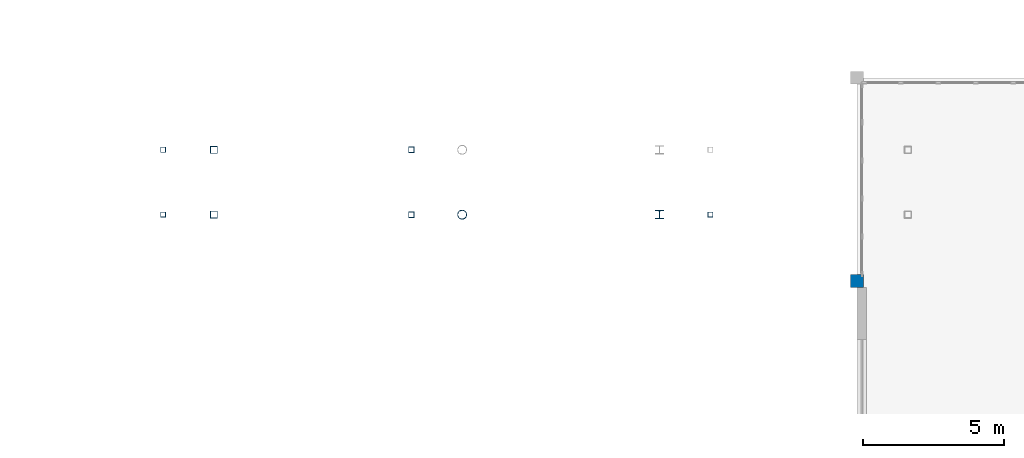
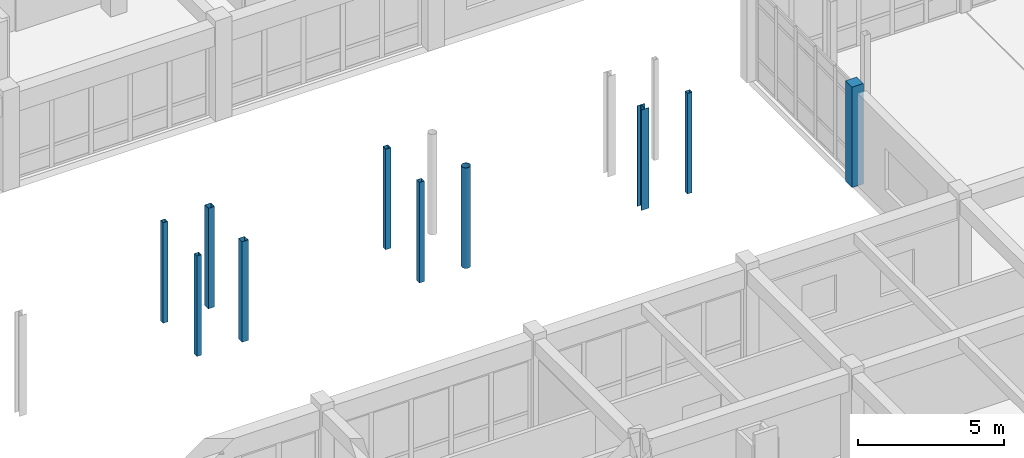
# One storey, part 26 of 147: 10 columns.
"""IFC4 building model written with IfcOpenShell, lengths in metres."""

from ifc_helpers import new_model, si_unit, direction, frame, origin, origin_2d, place, context, subcontext, project, spatial, rectangle, hollow_rectangle, hollow_circle, i_section, extrude, material, material_profile, profile_set, type_object, element, save


model = new_model("IFC4")

# Units and contexts
model_context = context("Model", 3, precision=1e-05, world=origin(), true_north=direction((0.0, 1.0)))
body_context = subcontext(model_context, "Body", "Model", "MODEL_VIEW")
ifc_project = project(units=[si_unit("LENGTHUNIT", "METRE"), si_unit("AREAUNIT", "SQUARE_METRE"), si_unit("VOLUMEUNIT", "CUBIC_METRE"), si_unit("PLANEANGLEUNIT", "RADIAN"), si_unit("MASSUNIT", "GRAM", prefix="KILO")], contexts=[model_context])

# Site, building, storey
site_placement = place(None, origin())
site = spatial("IfcSite", under=ifc_project, at=site_placement, CompositionType="ELEMENT")
building_placement = place(site_placement, origin())
building = spatial("IfcBuilding", under=site, at=building_placement, Name="Malvenik Polytechnic", CompositionType="ELEMENT")
storey_placement = place(building_placement, frame((0.0, 0.0, 5.10009765625)))
storey = spatial("IfcBuildingStorey", under=building, at=storey_placement, Name="L01", CompositionType="ELEMENT", Elevation=5.10009765625)

# Columns
ifc_material_1 = material(Name="Concrete C35/45", Category="concrete")
ifc_material_profile_1 = material_profile(ifc_material_1, rectangle(XDim=0.449951171875, YDim=0.449951171875, at=origin_2d()), Name="RC COL 450x450")
ifc_profile_set_1 = profile_set([ifc_material_profile_1], Name="Concrete C35/45")
column_type_1 = type_object("IfcColumnType", Name="STR-COL-C-09", PredefinedType="COLUMN", material=ifc_profile_set_1)
column_1_placement = place(storey_placement, frame((126.0, 100.800048828125, 0.0), z_axis=(0.0, 0.0, 1.0), x_axis=(1.0, 0.0, 0.0)))
element("IfcColumn", 1, at=column_1_placement, inside=storey, type_object=column_type_1, Name="Column C-09 L01 (126.0,100.8)", PredefinedType="COLUMN", context=body_context, shape_type="SweptSolid", body=[
    extrude(rectangle(XDim=0.449951171875, YDim=0.449951171875, at=origin_2d()), origin(), (0.0, 0.0, 1.0), 4.199951171875),
])
ifc_material_2 = material(Name="Steel S355J2H", Category="steel")
ifc_material_profile_2 = material_profile(ifc_material_2, hollow_rectangle(XDim=0.25, YDim=0.25, WallThickness=0.010009765625, at=origin_2d()), Name="SHS 250x250x10.0")
ifc_profile_set_2 = profile_set([ifc_material_profile_2], Name="Steel S355J2H")
column_type_2 = type_object("IfcColumnType", Name="STR-SCOL-SC-01", PredefinedType="COLUMN", material=ifc_profile_set_2)
for number, where, z_axis, x_axis, name in (
    (2, (103.199951171875, 103.14990234375, 0.0), (0.0, 0.0, 1.0), (1.0, 0.0, 0.0), "Bridge-Ramp Support Column SC-01 L01"),
    (3, (103.199951171875, 105.449951171875, 0.0), (0.0, 0.0, 1.0), (1.0, 0.0, 0.0), "Bridge-Ramp Support Column SC-01 L01"),
):
    element("IfcColumn", number, at=place(storey_placement, frame(where, z_axis=z_axis, x_axis=x_axis)), inside=storey, type_object=column_type_2, Name=name, PredefinedType="COLUMN", context=body_context, shape_type="SweptSolid", body=[
        extrude(hollow_rectangle(XDim=0.25, YDim=0.25, WallThickness=0.010009765625, at=origin_2d()), origin(), (0.0, 0.0, 1.0), 4.199951171875),
    ])
ifc_material_profile_3 = material_profile(ifc_material_2, hollow_rectangle(XDim=0.199951171875, YDim=0.199951171875, WallThickness=0.010009765625, at=origin_2d()), Name="SHS 200x200x10.0")
ifc_profile_set_3 = profile_set([ifc_material_profile_3], Name="Steel S355J2H")
column_type_3 = type_object("IfcColumnType", Name="STR-SCOL-SC-02", PredefinedType="COLUMN", material=ifc_profile_set_3)
for number, where, z_axis, x_axis, name in (
    (4, (110.199951171875, 103.14990234375, 0.0), (0.0, 0.0, 1.0), (1.0, 0.0, 0.0), "Bridge-Ramp Support Column SC-02 L01"),
    (5, (110.199951171875, 105.449951171875, 0.0), (0.0, 0.0, 1.0), (1.0, 0.0, 0.0), "Bridge-Ramp Support Column SC-02 L01"),
):
    element("IfcColumn", number, at=place(storey_placement, frame(where, z_axis=z_axis, x_axis=x_axis)), inside=storey, type_object=column_type_3, Name=name, PredefinedType="COLUMN", context=body_context, shape_type="SweptSolid", body=[
        extrude(hollow_rectangle(XDim=0.199951171875, YDim=0.199951171875, WallThickness=0.010009765625, at=origin_2d()), origin(), (0.0, 0.0, 1.0), 4.199951171875),
    ])
ifc_material_profile_4 = material_profile(ifc_material_2, hollow_circle(Radius=0.161865234375, WallThickness=0.012451171875, at=origin_2d()), Name="CHS 323.9x12.5")
ifc_profile_set_4 = profile_set([ifc_material_profile_4], Name="Steel S355J2H")
column_type_4 = type_object("IfcColumnType", Name="STR-SCOL-SC-04", PredefinedType="COLUMN", material=ifc_profile_set_4)
column_2_placement = place(storey_placement, frame((112.0, 103.14990234375, 0.0), z_axis=(0.0, 0.0, 1.0), x_axis=(1.0, 0.0, 0.0)))
element("IfcColumn", 6, at=column_2_placement, inside=storey, type_object=column_type_4, Name="Bridge-Ramp Support Column SC-04 L01", PredefinedType="COLUMN", context=body_context, shape_type="SweptSolid", body=[
    extrude(hollow_circle(Radius=0.161865234375, WallThickness=0.012451171875, at=origin_2d()), origin(), (0.0, 0.0, 1.0), 4.199951171875),
])
ifc_material_3 = material(Name="Steel S355", Category="steel")
ifc_material_profile_5 = material_profile(ifc_material_3, i_section(OverallWidth=0.300048828125, OverallDepth=0.300048828125, WebThickness=0.010986328125, FlangeThickness=0.01904296875, FilletRadius=0.027099609375, at=origin_2d()), Name="HEB 300")
ifc_profile_set_5 = profile_set([ifc_material_profile_5], Name="Steel S355")
column_type_5 = type_object("IfcColumnType", Name="STR-SCOL-SC-05", PredefinedType="COLUMN", material=ifc_profile_set_5)
column_3_placement = place(storey_placement, frame((119.0, 103.14990234375, 0.0), z_axis=(0.0, 0.0, 1.0), x_axis=(1.0, 0.0, 0.0)))
element("IfcColumn", 7, at=column_3_placement, inside=storey, type_object=column_type_5, Name="Bridge-Ramp Support Column SC-05 L01", PredefinedType="COLUMN", context=body_context, shape_type="SweptSolid", body=[
    extrude(i_section(OverallWidth=0.300048828125, OverallDepth=0.300048828125, WebThickness=0.010986328125, FlangeThickness=0.01904296875, FilletRadius=0.027099609375, at=origin_2d()), origin(), (0.0, 0.0, 1.0), 4.199951171875),
])
ifc_material_profile_6 = material_profile(ifc_material_2, hollow_rectangle(XDim=0.179931640625, YDim=0.179931640625, WallThickness=0.008056640625, at=origin_2d()), Name="SHS 180x180x8.0")
ifc_profile_set_6 = profile_set([ifc_material_profile_6], Name="Steel S355J2H")
column_type_6 = type_object("IfcColumnType", Name="STR-SCOL-SC-06", PredefinedType="COLUMN", material=ifc_profile_set_6)
for number, where, z_axis, x_axis, name in (
    (8, (101.39990234375, 103.14990234375, 0.0), (0.0, 0.0, 1.0), (1.0, 0.0, 0.0), "Bridge-Ramp Support Column SC-06 L01"),
    (9, (101.39990234375, 105.449951171875, 0.0), (0.0, 0.0, 1.0), (1.0, 0.0, 0.0), "Bridge-Ramp Support Column SC-06 L01"),
    (10, (120.800048828125, 103.14990234375, 0.0), (0.0, 0.0, 1.0), (1.0, 0.0, 0.0), "Bridge-Ramp Support Column SC-06 L01"),
):
    element("IfcColumn", number, at=place(storey_placement, frame(where, z_axis=z_axis, x_axis=x_axis)), inside=storey, type_object=column_type_6, Name=name, PredefinedType="COLUMN", context=body_context, shape_type="SweptSolid", body=[
        extrude(hollow_rectangle(XDim=0.179931640625, YDim=0.179931640625, WallThickness=0.008056640625, at=origin_2d()), origin(), (0.0, 0.0, 1.0), 4.199951171875),
    ])

save(model, "model.ifc")
